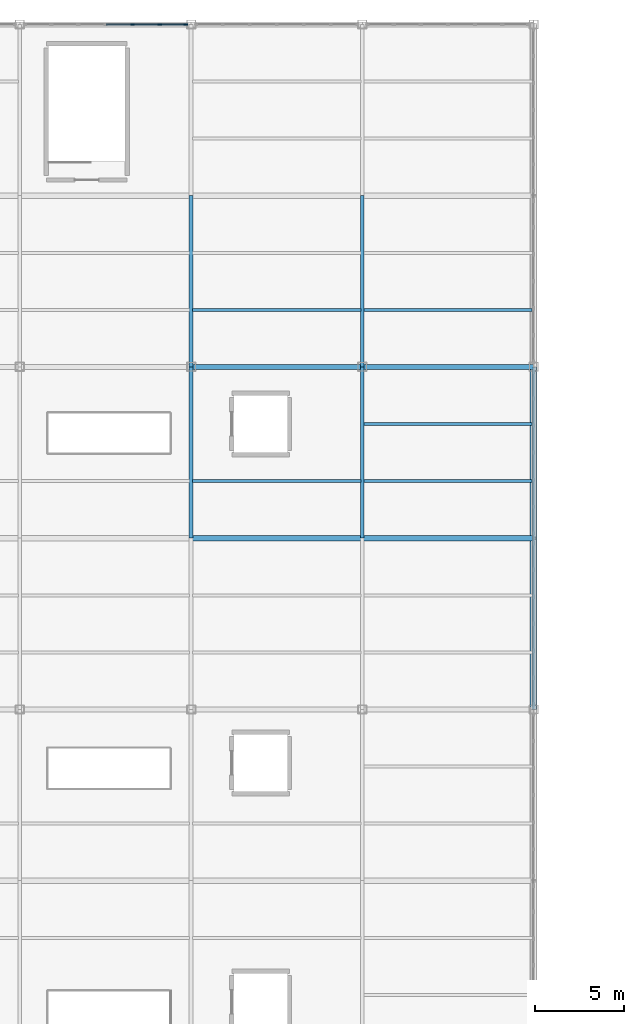
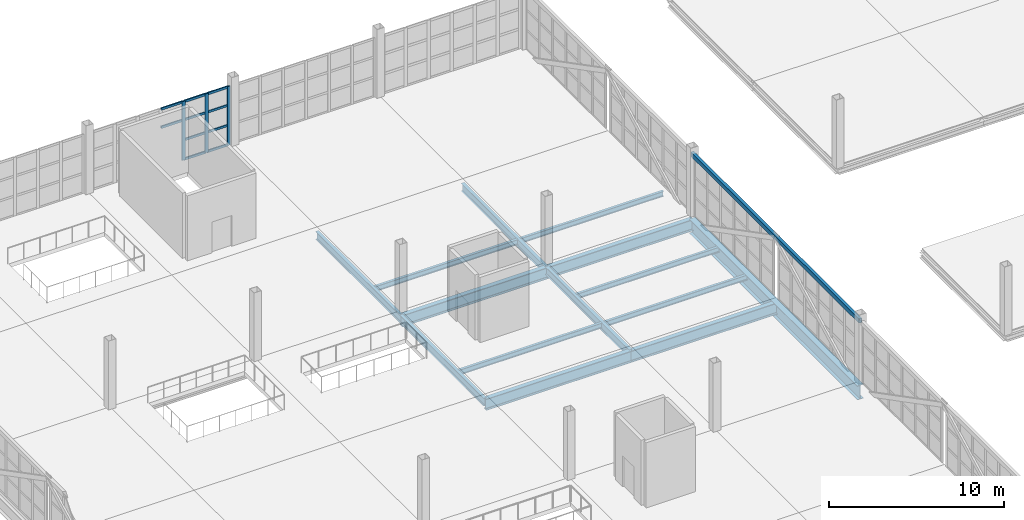
# One storey, part 54 of 120: 14 beams, 14 members, 1 element without a shape of its own.
"""IFC4 building model written with IfcOpenShell, lengths in metres."""

from ifc_helpers import new_model, si_unit, direction, frame, origin, origin_2d, place, context, subcontext, project, spatial, rectangle, hollow_rectangle, i_section, extrude, material, layer, layer_set, material_profile, profile_set, type_object, element, aggregate, save


model = new_model("IFC4")

# Units and contexts
model_context = context("Model", 3, precision=1e-05, world=origin(), true_north=direction((0.0, 1.0)))
body_context = subcontext(model_context, "Body", "Model", "MODEL_VIEW")
ifc_project = project(units=[si_unit("LENGTHUNIT", "METRE"), si_unit("AREAUNIT", "SQUARE_METRE"), si_unit("VOLUMEUNIT", "CUBIC_METRE"), si_unit("PLANEANGLEUNIT", "RADIAN"), si_unit("MASSUNIT", "GRAM", prefix="KILO")], contexts=[model_context])

# Site, building, storey
site_placement = place(None, origin())
site = spatial("IfcSite", under=ifc_project, at=site_placement, CompositionType="ELEMENT")
building_placement = place(site_placement, origin())
building = spatial("IfcBuilding", under=site, at=building_placement, Name="Zarnetskaya Central Station", CompositionType="ELEMENT")
storey_placement = place(building_placement, frame((0.0, 0.0, 5.39990234375)))
storey = spatial("IfcBuildingStorey", under=building, at=storey_placement, Name="L01", CompositionType="ELEMENT", Elevation=5.39990234375)

# Beams
ifc_material_1 = material(Name="Steel S355", Category="steel")
ifc_material_profile_1 = material_profile(ifc_material_1, i_section(OverallWidth=0.169921875, OverallDepth=0.360107421875, WebThickness=0.008056640625, FlangeThickness=0.0126953125, FilletRadius=0.01806640625, at=origin_2d()), Name="IPE 360")
ifc_profile_set_1 = profile_set([ifc_material_profile_1], Name="Steel S355")
beam_type_1 = type_object("IfcBeamType", Name="BM-SEC-360", PredefinedType="BEAM", material=ifc_profile_set_1)
for number, where, z_axis, x_axis, name in (
    (1, (96.080078125, 99.199951171875, -0.4599609375), (1.0, 0.0, 0.0), (0.0, 1.0, 0.0), "Secondary floor beam SEC-L01-Z512-LM-1213-1"),
    (2, (96.080078125, 108.800048828125, -0.4599609375), (1.0, 0.0, 0.0), (0.0, 1.0, 0.0), "Secondary floor beam SEC-L01-Z512-LM-1314-1"),
):
    element("IfcBeam", number, at=place(storey_placement, frame(where, z_axis=z_axis, x_axis=x_axis)), inside=storey, type_object=beam_type_1, Name=name, PredefinedType="BEAM", context=body_context, shape_type="SweptSolid", body=[
        extrude(i_section(OverallWidth=0.169921875, OverallDepth=0.360107421875, WebThickness=0.008056640625, FlangeThickness=0.0126953125, FilletRadius=0.01806640625, at=origin_2d()), origin(), (0.0, 0.0, 1.0), 9.43994140625),
    ])
for number, where, z_axis, x_axis, name in (
    (3, (105.679931640625, 99.199951171875, -0.4599609375), (1.0, 0.0, 0.0), (0.0, 1.0, 0.0), "Secondary floor beam SEC-L01-Z512-MN-1213-1"),
    (4, (105.679931640625, 102.39990234375, -0.4599609375), (1.0, 0.0, 0.0), (0.0, 1.0, 0.0), "Secondary floor beam SEC-L01-Z512-MN-1213-2"),
    (5, (105.679931640625, 108.800048828125, -0.4599609375), (1.0, 0.0, 0.0), (0.0, 1.0, 0.0), "Secondary floor beam SEC-L01-Z512-MN-1314-1"),
):
    element("IfcBeam", number, at=place(storey_placement, frame(where, z_axis=z_axis, x_axis=x_axis)), inside=storey, type_object=beam_type_1, Name=name, PredefinedType="BEAM", context=body_context, shape_type="SweptSolid", body=[
        extrude(i_section(OverallWidth=0.169921875, OverallDepth=0.360107421875, WebThickness=0.008056640625, FlangeThickness=0.0126953125, FilletRadius=0.01806640625, at=origin_2d()), origin(), (0.0, 0.0, 1.0), 9.440185546875),
    ])

# Curtain wall, members
ifc_material_2 = material(Name="Low-E insulated glass", Category="glass")
ifc_layer = layer(ifc_material_2, 0.172119140625, Name="Low-E insulated glass", Category="glass")
ifc_layer_set = layer_set([ifc_layer], Name="Low-E insulated glass")
curtain_wall_type = type_object("IfcCurtainWallType", Name="CW-SYS-09", PredefinedType="USERDEFINED", material=ifc_layer_set)
curtain_wall_placement = place(storey_placement, origin())
curtain_wall = element("IfcCurtainWall", 6, at=curtain_wall_placement, inside=storey, type_object=curtain_wall_type, Name="Curtain wall CW-L01-154", ObjectType="CURTAIN WALL", PredefinedType="USERDEFINED")
ifc_material_3 = material(Name="Anodised aluminium", Category="aluminium")
ifc_material_profile_2 = material_profile(ifc_material_3, rectangle(XDim=0.080078125, YDim=0.219970703125, at=origin_2d()), Name="ALU MULL 80x220")
ifc_profile_set_2 = profile_set([ifc_material_profile_2], Name="Anodised aluminium")
member_type_1 = type_object("IfcMemberType", Name="CW-MULL-220", PredefinedType="MULLION", material=ifc_profile_set_2)
member_1_placement = place(storey_placement, frame((92.716552734375, 124.800048828125, 0.0), z_axis=(0.0, 0.0, 1.0), x_axis=(0.0, 1.0, 0.0)))
member_1 = element("IfcMember", 7, at=member_1_placement, type_object=member_type_1, Name="CW-07 mullion 5", PredefinedType="MULLION", context=body_context, shape_type="SweptSolid", body=[
    extrude(rectangle(XDim=0.080078125, YDim=0.219970703125, at=origin_2d()), origin(), (0.0, 0.0, 1.0), 4.10009765625),
])
member_2_placement = place(storey_placement, frame((94.2333984375, 124.800048828125, 0.0), z_axis=(0.0, 0.0, 1.0), x_axis=(0.0, 1.0, 0.0)))
member_2 = element("IfcMember", 8, at=member_2_placement, type_object=member_type_1, Name="CW-07 mullion 6", PredefinedType="MULLION", context=body_context, shape_type="SweptSolid", body=[
    extrude(rectangle(XDim=0.080078125, YDim=0.219970703125, at=origin_2d()), origin(), (0.0, 0.0, 1.0), 4.10009765625),
])
member_3_placement = place(storey_placement, frame((95.7099609375, 124.800048828125, 0.0), z_axis=(0.0, 0.0, 1.0), x_axis=(0.0, 1.0, 0.0)))
member_3 = element("IfcMember", 9, at=member_3_placement, type_object=member_type_1, Name="CW-07 mullion 7", PredefinedType="MULLION", context=body_context, shape_type="SweptSolid", body=[
    extrude(rectangle(XDim=0.080078125, YDim=0.219970703125, at=origin_2d()), origin(), (0.0, 0.0, 1.0), 4.10009765625),
])
ifc_material_profile_3 = material_profile(ifc_material_3, rectangle(XDim=0.080078125, YDim=0.159912109375, at=origin_2d()), Name="ALU TRAN 80x160")
ifc_profile_set_3 = profile_set([ifc_material_profile_3], Name="Anodised aluminium")
member_type_2 = type_object("IfcMemberType", Name="CW-TRAN-160", PredefinedType="USERDEFINED", material=ifc_profile_set_3)
member_4_placement = place(storey_placement, frame((91.239990234375, 124.800048828125, 2.7880859375), z_axis=(1.0, 0.0, 0.0), x_axis=(0.0, 1.0, 0.0)))
member_4 = element("IfcMember", 10, at=member_4_placement, type_object=member_type_2, Name="CW-07 transom 4.3", ObjectType="TRANSOM", PredefinedType="USERDEFINED", context=body_context, shape_type="SweptSolid", body=[
    extrude(rectangle(XDim=0.080078125, YDim=0.159912109375, at=origin_2d()), origin(), (0.0, 0.0, 1.0), 1.436767578125),
])
member_5_placement = place(storey_placement, frame((91.239990234375, 124.800048828125, 4.06005859375), z_axis=(1.0, 0.0, 0.0), x_axis=(0.0, 1.0, 0.0)))
member_5 = element("IfcMember", 11, at=member_5_placement, type_object=member_type_2, Name="CW-07 transom 4.4", ObjectType="TRANSOM", PredefinedType="USERDEFINED", context=body_context, shape_type="SweptSolid", body=[
    extrude(rectangle(XDim=0.080078125, YDim=0.159912109375, at=origin_2d()), origin(), (0.0, 0.0, 1.0), 1.436767578125),
])
member_6_placement = place(storey_placement, frame((92.756591796875, 124.800048828125, 0.0400390625), z_axis=(1.0, 0.0, 0.0), x_axis=(0.0, 1.0, 0.0)))
member_6 = element("IfcMember", 12, at=member_6_placement, type_object=member_type_2, Name="CW-07 transom 5.1", ObjectType="TRANSOM", PredefinedType="USERDEFINED", context=body_context, shape_type="SweptSolid", body=[
    extrude(rectangle(XDim=0.080078125, YDim=0.159912109375, at=origin_2d()), origin(), (0.0, 0.0, 1.0), 1.436767578125),
])
member_7_placement = place(storey_placement, frame((92.756591796875, 124.800048828125, 1.39404296875), z_axis=(1.0, 0.0, 0.0), x_axis=(0.0, 1.0, 0.0)))
member_7 = element("IfcMember", 13, at=member_7_placement, type_object=member_type_2, Name="CW-07 transom 5.2", ObjectType="TRANSOM", PredefinedType="USERDEFINED", context=body_context, shape_type="SweptSolid", body=[
    extrude(rectangle(XDim=0.080078125, YDim=0.159912109375, at=origin_2d()), origin(), (0.0, 0.0, 1.0), 1.436767578125),
])
member_8_placement = place(storey_placement, frame((92.756591796875, 124.800048828125, 2.7880859375), z_axis=(1.0, 0.0, 0.0), x_axis=(0.0, 1.0, 0.0)))
member_8 = element("IfcMember", 14, at=member_8_placement, type_object=member_type_2, Name="CW-07 transom 5.3", ObjectType="TRANSOM", PredefinedType="USERDEFINED", context=body_context, shape_type="SweptSolid", body=[
    extrude(rectangle(XDim=0.080078125, YDim=0.159912109375, at=origin_2d()), origin(), (0.0, 0.0, 1.0), 1.436767578125),
])
member_9_placement = place(storey_placement, frame((92.756591796875, 124.800048828125, 4.06005859375), z_axis=(1.0, 0.0, 0.0), x_axis=(0.0, 1.0, 0.0)))
member_9 = element("IfcMember", 15, at=member_9_placement, type_object=member_type_2, Name="CW-07 transom 5.4", ObjectType="TRANSOM", PredefinedType="USERDEFINED", context=body_context, shape_type="SweptSolid", body=[
    extrude(rectangle(XDim=0.080078125, YDim=0.159912109375, at=origin_2d()), origin(), (0.0, 0.0, 1.0), 1.436767578125),
])
member_10_placement = place(storey_placement, frame((94.2734375, 124.800048828125, 0.0400390625), z_axis=(1.0, 0.0, 0.0), x_axis=(0.0, 1.0, 0.0)))
member_10 = element("IfcMember", 16, at=member_10_placement, type_object=member_type_2, Name="CW-07 transom 6.1", ObjectType="TRANSOM", PredefinedType="USERDEFINED", context=body_context, shape_type="SweptSolid", body=[
    extrude(rectangle(XDim=0.080078125, YDim=0.159912109375, at=origin_2d()), origin(), (0.0, 0.0, 1.0), 1.396484375),
])
member_11_placement = place(storey_placement, frame((94.2734375, 124.800048828125, 1.39404296875), z_axis=(1.0, 0.0, 0.0), x_axis=(0.0, 1.0, 0.0)))
member_11 = element("IfcMember", 17, at=member_11_placement, type_object=member_type_2, Name="CW-07 transom 6.2", ObjectType="TRANSOM", PredefinedType="USERDEFINED", context=body_context, shape_type="SweptSolid", body=[
    extrude(rectangle(XDim=0.080078125, YDim=0.159912109375, at=origin_2d()), origin(), (0.0, 0.0, 1.0), 1.396484375),
])
member_12_placement = place(storey_placement, frame((94.2734375, 124.800048828125, 2.7880859375), z_axis=(1.0, 0.0, 0.0), x_axis=(0.0, 1.0, 0.0)))
member_12 = element("IfcMember", 18, at=member_12_placement, type_object=member_type_2, Name="CW-07 transom 6.3", ObjectType="TRANSOM", PredefinedType="USERDEFINED", context=body_context, shape_type="SweptSolid", body=[
    extrude(rectangle(XDim=0.080078125, YDim=0.159912109375, at=origin_2d()), origin(), (0.0, 0.0, 1.0), 1.396484375),
])
member_13_placement = place(storey_placement, frame((94.2734375, 124.800048828125, 4.06005859375), z_axis=(1.0, 0.0, 0.0), x_axis=(0.0, 1.0, 0.0)))
member_13 = element("IfcMember", 19, at=member_13_placement, type_object=member_type_2, Name="CW-07 transom 6.4", ObjectType="TRANSOM", PredefinedType="USERDEFINED", context=body_context, shape_type="SweptSolid", body=[
    extrude(rectangle(XDim=0.080078125, YDim=0.159912109375, at=origin_2d()), origin(), (0.0, 0.0, 1.0), 1.396484375),
])
aggregate(curtain_wall, [member_1, member_2, member_3, member_4, member_5, member_6, member_7, member_8, member_9, member_10, member_11, member_12, member_13])

# Beams
ifc_material_profile_4 = material_profile(ifc_material_1, i_section(OverallWidth=0.300048828125, OverallDepth=0.800048828125, WebThickness=0.017578125, FlangeThickness=0.032958984375, FilletRadius=0.030029296875, at=origin_2d()), Name="HEB 800")
ifc_profile_set_4 = profile_set([ifc_material_profile_4], Name="Steel S355")
beam_type_2 = type_object("IfcBeamType", Name="GD-BRG-800", PredefinedType="USERDEFINED", material=ifc_profile_set_4)
for number, where, z_axis, x_axis, name in (
    (20, (96.0, 96.0, -0.679931640625), (1.0, 0.0, 0.0), (0.0, 1.0, 0.0), "Grid girder GX-L01-12-LM"),
    (21, (96.0, 105.60009765625, -0.679931640625), (1.0, 0.0, 0.0), (0.0, 1.0, 0.0), "Grid girder GX-L01-13-LM"),
):
    element("IfcBeam", number, at=place(storey_placement, frame(where, z_axis=z_axis, x_axis=x_axis)), inside=storey, type_object=beam_type_2, Name=name, ObjectType="GIRDER", PredefinedType="USERDEFINED", context=body_context, shape_type="SweptSolid", body=[
        extrude(i_section(OverallWidth=0.300048828125, OverallDepth=0.800048828125, WebThickness=0.017578125, FlangeThickness=0.032958984375, FilletRadius=0.030029296875, at=origin_2d()), origin(), (0.0, 0.0, 1.0), 9.60009765625),
    ])
for number, where, z_axis, x_axis, name in (
    (22, (105.60009765625, 96.0, -0.679931640625), (1.0, 0.0, 0.0), (0.0, 1.0, 0.0), "Grid girder GX-L01-12-MN"),
    (23, (105.60009765625, 105.60009765625, -0.679931640625), (1.0, 0.0, 0.0), (0.0, 1.0, 0.0), "Grid girder GX-L01-13-MN"),
):
    element("IfcBeam", number, at=place(storey_placement, frame(where, z_axis=z_axis, x_axis=x_axis)), inside=storey, type_object=beam_type_2, Name=name, ObjectType="GIRDER", PredefinedType="USERDEFINED", context=body_context, shape_type="SweptSolid", body=[
        extrude(i_section(OverallWidth=0.300048828125, OverallDepth=0.800048828125, WebThickness=0.017578125, FlangeThickness=0.032958984375, FilletRadius=0.030029296875, at=origin_2d()), origin(), (0.0, 0.0, 1.0), 9.599853515625),
    ])
ifc_material_profile_5 = material_profile(ifc_material_1, i_section(OverallWidth=0.2099609375, OverallDepth=0.550048828125, WebThickness=0.010986328125, FlangeThickness=0.01708984375, FilletRadius=0.02392578125, at=origin_2d()), Name="IPE 550")
ifc_profile_set_5 = profile_set([ifc_material_profile_5], Name="Steel S355")
beam_type_3 = type_object("IfcBeamType", Name="GD-FLR-550", PredefinedType="USERDEFINED", material=ifc_profile_set_5)
beam_1_placement = place(storey_placement, frame((96.0, 96.0, -0.554931640625), z_axis=(0.0, 1.0, 0.0), x_axis=(-1.0, 0.0, 0.0)))
element("IfcBeam", 24, at=beam_1_placement, inside=storey, type_object=beam_type_3, Name="Grid girder GY-L01-L-1213", ObjectType="GIRDER", PredefinedType="USERDEFINED", context=body_context, shape_type="SweptSolid", body=[
    extrude(i_section(OverallWidth=0.2099609375, OverallDepth=0.550048828125, WebThickness=0.010986328125, FlangeThickness=0.01708984375, FilletRadius=0.02392578125, at=origin_2d()), origin(), (0.0, 0.0, 1.0), 9.60009765625),
])
beam_2_placement = place(storey_placement, frame((96.0, 105.60009765625, -0.554931640625), z_axis=(0.0, 1.0, 0.0), x_axis=(-1.0, 0.0, 0.0)))
element("IfcBeam", 25, at=beam_2_placement, inside=storey, type_object=beam_type_3, Name="Grid girder GY-L01-L-1314", ObjectType="GIRDER", PredefinedType="USERDEFINED", context=body_context, shape_type="SweptSolid", body=[
    extrude(i_section(OverallWidth=0.2099609375, OverallDepth=0.550048828125, WebThickness=0.010986328125, FlangeThickness=0.01708984375, FilletRadius=0.02392578125, at=origin_2d()), origin(), (0.0, 0.0, 1.0), 9.599853515625),
])
beam_3_placement = place(storey_placement, frame((105.60009765625, 96.0, -0.554931640625), z_axis=(0.0, 1.0, 0.0), x_axis=(-1.0, 0.0, 0.0)))
element("IfcBeam", 26, at=beam_3_placement, inside=storey, type_object=beam_type_3, Name="Grid girder GY-L01-M-1213", ObjectType="GIRDER", PredefinedType="USERDEFINED", context=body_context, shape_type="SweptSolid", body=[
    extrude(i_section(OverallWidth=0.2099609375, OverallDepth=0.550048828125, WebThickness=0.010986328125, FlangeThickness=0.01708984375, FilletRadius=0.02392578125, at=origin_2d()), origin(), (0.0, 0.0, 1.0), 9.60009765625),
])
beam_4_placement = place(storey_placement, frame((105.60009765625, 105.60009765625, -0.554931640625), z_axis=(0.0, 1.0, 0.0), x_axis=(-1.0, 0.0, 0.0)))
element("IfcBeam", 27, at=beam_4_placement, inside=storey, type_object=beam_type_3, Name="Grid girder GY-L01-M-1314", ObjectType="GIRDER", PredefinedType="USERDEFINED", context=body_context, shape_type="SweptSolid", body=[
    extrude(i_section(OverallWidth=0.2099609375, OverallDepth=0.550048828125, WebThickness=0.010986328125, FlangeThickness=0.01708984375, FilletRadius=0.02392578125, at=origin_2d()), origin(), (0.0, 0.0, 1.0), 9.599853515625),
])
ifc_material_profile_6 = material_profile(ifc_material_1, i_section(OverallWidth=0.39990234375, OverallDepth=1.0, WebThickness=0.02001953125, FlangeThickness=0.031982421875, at=origin_2d()), Name="PG 1000x400x20x32")
ifc_profile_set_6 = profile_set([ifc_material_profile_6], Name="Steel S355")
beam_type_4 = type_object("IfcBeamType", Name="GD-XFER-1000", PredefinedType="USERDEFINED", material=ifc_profile_set_6)
beam_5_placement = place(storey_placement, frame((115.199951171875, 86.39990234375, -0.77978515625), z_axis=(0.0, 1.0, 0.0), x_axis=(-1.0, 0.0, 0.0)))
element("IfcBeam", 28, at=beam_5_placement, inside=storey, type_object=beam_type_4, Name="Transfer truss N 11-13 bottom chord", ObjectType="GIRDER", PredefinedType="USERDEFINED", context=body_context, shape_type="SweptSolid", body=[
    extrude(i_section(OverallWidth=0.39990234375, OverallDepth=1.0, WebThickness=0.02001953125, FlangeThickness=0.031982421875, at=origin_2d()), origin(), (0.0, 0.0, 1.0), 19.2001953125),
])

# Member
ifc_material_profile_7 = material_profile(ifc_material_1, hollow_rectangle(XDim=0.199951171875, YDim=0.300048828125, WallThickness=0.012451171875, at=origin_2d()), Name="RHS 300x200x12.5")
ifc_profile_set_7 = profile_set([ifc_material_profile_7], Name="Steel S355")
member_type_3 = type_object("IfcMemberType", Name="MB-TRUSS-TOP", PredefinedType="CHORD", material=ifc_profile_set_7)
member_14_placement = place(storey_placement, frame((115.199951171875, 86.39990234375, 4.2001953125), z_axis=(0.0, 1.0, 0.0), x_axis=(-1.0, 0.0, 0.0)))
element("IfcMember", 29, at=member_14_placement, inside=storey, type_object=member_type_3, Name="Transfer truss N 11-13 top chord", PredefinedType="CHORD", context=body_context, shape_type="SweptSolid", body=[
    extrude(hollow_rectangle(XDim=0.199951171875, YDim=0.300048828125, WallThickness=0.012451171875, at=origin_2d()), origin(), (0.0, 0.0, 1.0), 19.2001953125),
])

save(model, "model.ifc")
